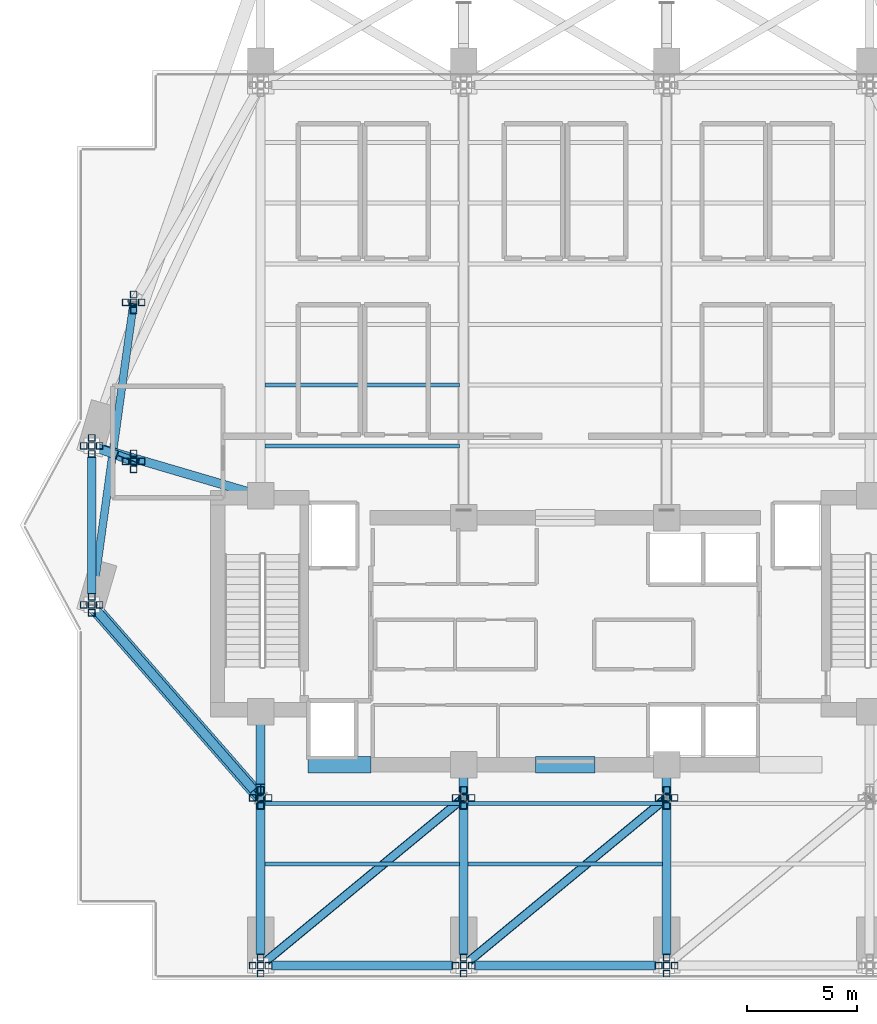
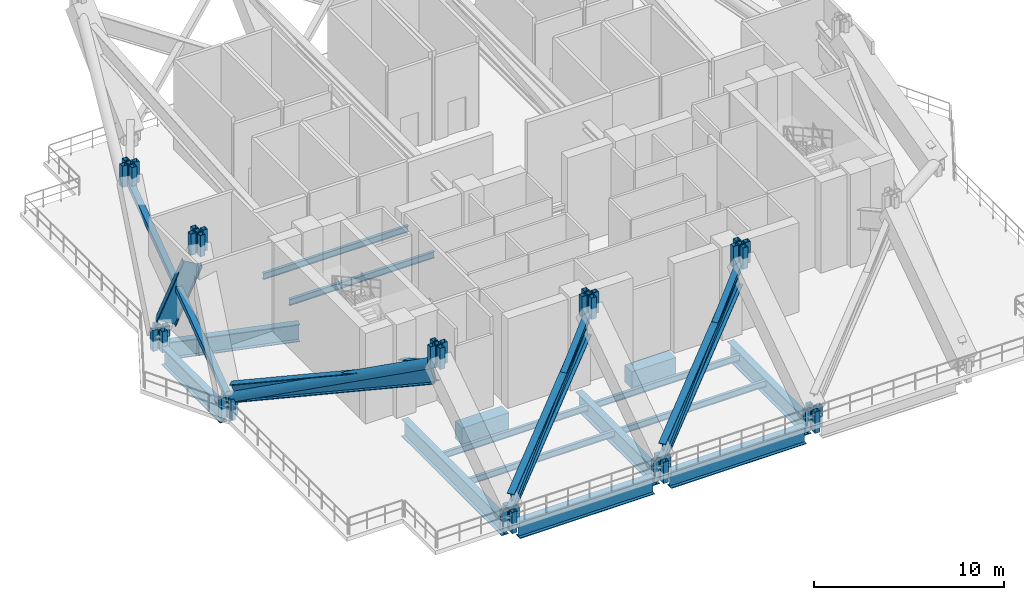
# One storey, part 2 of 18: 54 members, 20 beams.
"""IFC4 building model written with IfcOpenShell, lengths in metres."""

from ifc_helpers import new_model, si_unit, direction, frame, origin, origin_2d, place, context, subcontext, project, spatial, rectangle, hollow_rectangle, hollow_circle, i_section, extrude, material, material_profile, profile_set, type_object, element, save


model = new_model("IFC4")

# Units and contexts
model_context = context("Model", 3, precision=1e-05, world=origin(), true_north=direction((0.0, 1.0)))
body_context = subcontext(model_context, "Body", "Model", "MODEL_VIEW")
ifc_project = project(units=[si_unit("LENGTHUNIT", "METRE"), si_unit("AREAUNIT", "SQUARE_METRE"), si_unit("VOLUMEUNIT", "CUBIC_METRE"), si_unit("PLANEANGLEUNIT", "RADIAN"), si_unit("MASSUNIT", "GRAM", prefix="KILO")], contexts=[model_context])

# Site, building, storey
site_placement = place(None, origin())
site = spatial("IfcSite", under=ifc_project, at=site_placement, CompositionType="ELEMENT")
building_placement = place(site_placement, origin())
building = spatial("IfcBuilding", under=site, at=building_placement, Name="Zuhayl Quay Hotel", CompositionType="ELEMENT")
storey_placement = place(building_placement, frame((0.0, 0.0, 233.64990234375)))
storey = spatial("IfcBuildingStorey", under=building, at=storey_placement, Name="L59", CompositionType="ELEMENT", Elevation=233.64990234375)

# Beams
ifc_material_1 = material(Name="Concrete C60/75", Category="concrete")
ifc_material_profile_1 = material_profile(ifc_material_1, rectangle(XDim=0.75, YDim=1.10009765625, at=origin_2d()), Name="RC750X1100")
ifc_profile_set_1 = profile_set([ifc_material_profile_1], Name="Concrete C60/75")
beam_type_1 = type_object("IfcBeamType", Name="BM_CB2_RC750", PredefinedType="T_BEAM", material=ifc_profile_set_1)
beam_1_placement = place(storey_placement, frame((-11.64990234375, 2.14990234375, -0.809814453125), z_axis=(1.0, 0.0, 0.0), x_axis=(0.0, 1.0, 0.0)))
element("IfcBeam", 1, at=beam_1_placement, inside=storey, type_object=beam_type_1, Name="L59 Core Coupling Beam SW", PredefinedType="T_BEAM", context=body_context, shape_type="SweptSolid", body=[
    extrude(rectangle(XDim=0.75, YDim=1.10009765625, at=origin_2d()), origin(), (0.0, 0.0, 1.0), 2.849853515625),
])
beam_2_placement = place(storey_placement, frame((-1.35009765625, 2.14990234375, -0.809814453125), z_axis=(1.0, 0.0, 0.0), x_axis=(0.0, 1.0, 0.0)))
element("IfcBeam", 2, at=beam_2_placement, inside=storey, type_object=beam_type_1, Name="L59 Core Coupling Beam South", PredefinedType="T_BEAM", context=body_context, shape_type="SweptSolid", body=[
    extrude(rectangle(XDim=0.75, YDim=1.10009765625, at=origin_2d()), origin(), (0.0, 0.0, 1.0), 2.7001953125),
])
ifc_material_2 = material(Name="Steel ASTM A992 Grade 50", Category="steel")
ifc_material_profile_2 = material_profile(ifc_material_2, i_section(OverallWidth=0.177978515625, OverallDepth=0.406005859375, WebThickness=0.0078125, FlangeThickness=0.0126953125, at=origin_2d()), Name="W16X40")
ifc_profile_set_2 = profile_set([ifc_material_profile_2], Name="Steel ASTM A992 Grade 50")
beam_type_2 = type_object("IfcBeamType", Name="BM_J2B_W16X40", PredefinedType="JOIST", material=ifc_profile_set_2)
for number, where, z_axis, x_axis, name in (
    (3, (-13.60595703125, 16.60009765625, -0.462890625), (1.0, 0.0, 0.0), (0.0, 1.0, 0.0), "L59 Floor Beam FJ_L59_1_1"),
    (4, (-13.60595703125, 19.35009765625, -0.462890625), (1.0, 0.0, 0.0), (0.0, 1.0, 0.0), "L59 Floor Beam FJ_L59_2_1"),
    (5, (-13.60595703125, -2.35009765625, -0.462890625), (1.0, 0.0, 0.0), (0.0, 1.0, 0.0), "L59 Floor Beam FJ_L59_7_1"),
    (6, (-4.406005859375, -2.35009765625, -0.462890625), (1.0, 0.0, 0.0), (0.0, 1.0, 0.0), "L59 Floor Beam FJ_L59_7_2"),
    (7, (-13.60595703125, 0.39990234375, -0.462890625), (1.0, 0.0, 0.0), (0.0, 1.0, 0.0), "L59 Floor Beam FJ_L59_8_1"),
    (8, (-4.406005859375, 0.39990234375, -0.462890625), (1.0, 0.0, 0.0), (0.0, 1.0, 0.0), "L59 Floor Beam FJ_L59_8_2"),
):
    element("IfcBeam", number, at=place(storey_placement, frame(where, z_axis=z_axis, x_axis=x_axis)), inside=storey, type_object=beam_type_2, Name=name, PredefinedType="JOIST", context=body_context, shape_type="SweptSolid", body=[
        extrude(i_section(OverallWidth=0.177978515625, OverallDepth=0.406005859375, WebThickness=0.0078125, FlangeThickness=0.0126953125, at=origin_2d()), origin(), (0.0, 0.0, 1.0), 8.81201171875),
    ])
ifc_material_3 = material(Name="Steel ASTM A913 Grade 65", Category="steel")
ifc_material_profile_3 = material_profile(ifc_material_3, i_section(OverallWidth=0.404052734375, OverallDepth=1.117919921875, WebThickness=0.026123046875, FlangeThickness=0.044921875, at=origin_2d()), Name="W44X335")
ifc_profile_set_3 = profile_set([ifc_material_profile_3], Name="Steel ASTM A913 Grade 65")
beam_type_3 = type_object("IfcBeamType", Name="BM_TG1_W44X335", PredefinedType="BEAM", material=ifc_profile_set_3)
beam_3_placement = place(storey_placement, frame((-13.300048828125, -6.949951171875, -0.81884765625), z_axis=(1.0, 0.0, 0.0), x_axis=(0.0, 1.0, 0.0)))
element("IfcBeam", 9, at=beam_3_placement, inside=storey, type_object=beam_type_3, Name="L59 Floor Beam RG_L59_01", PredefinedType="BEAM", context=body_context, shape_type="SweptSolid", body=[
    extrude(i_section(OverallWidth=0.404052734375, OverallDepth=1.117919921875, WebThickness=0.026123046875, FlangeThickness=0.044921875, at=origin_2d()), origin(), (0.0, 0.0, 1.0), 8.199951171875),
])
beam_4_placement = place(storey_placement, frame((-4.10009765625, -6.949951171875, -0.81884765625), z_axis=(1.0, 0.0, 0.0), x_axis=(0.0, 1.0, 0.0)))
element("IfcBeam", 10, at=beam_4_placement, inside=storey, type_object=beam_type_3, Name="L59 Floor Beam RG_L59_02", PredefinedType="BEAM", context=body_context, shape_type="SweptSolid", body=[
    extrude(i_section(OverallWidth=0.404052734375, OverallDepth=1.117919921875, WebThickness=0.026123046875, FlangeThickness=0.044921875, at=origin_2d()), origin(), (0.0, 0.0, 1.0), 8.2001953125),
])
beam_5_placement = place(storey_placement, frame((-21.449951171875, 16.10009765625, -0.81884765625), z_axis=(0.0, -1.0, 0.0), x_axis=(1.0, 0.0, 0.0)))
element("IfcBeam", 11, at=beam_5_placement, inside=storey, type_object=beam_type_3, Name="L59 Floor Beam RG_L59_11", PredefinedType="BEAM", context=body_context, shape_type="SweptSolid", body=[
    extrude(i_section(OverallWidth=0.404052734375, OverallDepth=1.117919921875, WebThickness=0.026123046875, FlangeThickness=0.044921875, at=origin_2d()), origin(), (0.0, 0.0, 1.0), 6.2001953125),
])
for number, where, z_axis, x_axis, name in (
    (12, (-13.568603515625, -6.7587890625, 0.9501953125), (0.733463522291, 0.605904648849, 0.308075993827), (-0.636881446996, 0.770961751627, 0.0), "L59 Wind-Floor Inclined Belt Girder 01"),
    (13, (-4.36865234375, -6.7587890625, 0.9501953125), (0.733463522291, 0.605904648849, 0.308075993827), (-0.636881446996, 0.770961751627, 0.0), "L59 Wind-Floor Inclined Belt Girder 02"),
):
    element("IfcBeam", number, at=place(storey_placement, frame(where, z_axis=z_axis, x_axis=x_axis)), inside=storey, type_object=beam_type_3, Name=name, PredefinedType="BEAM", context=body_context, shape_type="SweptSolid", body=[
        extrude(i_section(OverallWidth=0.404052734375, OverallDepth=1.117919921875, WebThickness=0.026123046875, FlangeThickness=0.044921875, at=origin_2d()), origin(), (0.0, 0.0, 1.0), 11.912353515625),
    ])
beam_6_placement = place(storey_placement, frame((-21.16845703125, 16.496337890625, 0.9501953125), z_axis=(0.339594091876, -0.125146252266, 0.932209347897), x_axis=(0.345784763794, 0.93831385854, 0.0)))
element("IfcBeam", 14, at=beam_6_placement, inside=storey, type_object=beam_type_3, Name="L59 Wind-Floor Inclined Belt Girder 11", PredefinedType="BEAM", context=body_context, shape_type="SweptSolid", body=[
    extrude(i_section(OverallWidth=0.404052734375, OverallDepth=1.117919921875, WebThickness=0.026123046875, FlangeThickness=0.044921875, at=origin_2d()), origin(), (0.0, 0.0, 1.0), 3.936767578125),
])
beam_7_placement = place(storey_placement, frame((-21.25244140625, 9.174072265625, 0.9501953125), z_axis=(0.62449331959, -0.714292079672, 0.315903337598), x_axis=(0.752844192423, 0.658198770839, 0.0)))
element("IfcBeam", 15, at=beam_7_placement, inside=storey, type_object=beam_type_3, Name="L59 Wind-Floor Inclined Belt Girder 12", PredefinedType="BEAM", context=body_context, shape_type="SweptSolid", body=[
    extrude(i_section(OverallWidth=0.404052734375, OverallDepth=1.117919921875, WebThickness=0.026123046875, FlangeThickness=0.044921875, at=origin_2d()), origin(), (0.0, 0.0, 1.0), 11.6171875),
])
beam_8_placement = place(storey_placement, frame((-13.800048828125, 4.199951171875, 2.85009765625), z_axis=(0.0, -0.875053295182, 0.484026580459), x_axis=(1.0, 0.0, 0.0)))
element("IfcBeam", 16, at=beam_8_placement, inside=storey, type_object=beam_type_3, Name="L59 Wind-Floor Inclined Outrigger Girder 3", PredefinedType="BEAM", context=body_context, shape_type="SweptSolid", body=[
    extrude(i_section(OverallWidth=0.404052734375, OverallDepth=1.117919921875, WebThickness=0.026123046875, FlangeThickness=0.044921875, at=origin_2d()), origin(), (0.0, 0.0, 1.0), 3.656982421875),
])
beam_9_placement = place(storey_placement, frame((-13.800048828125, -6.449951171875, -0.81884765625), z_axis=(0.0, 1.0, 0.0), x_axis=(-1.0, 0.0, 0.0)))
element("IfcBeam", 17, at=beam_9_placement, inside=storey, type_object=beam_type_3, Name="L59 Floor Beam FG_S_L59_1", PredefinedType="BEAM", context=body_context, shape_type="SweptSolid", body=[
    extrude(i_section(OverallWidth=0.404052734375, OverallDepth=1.117919921875, WebThickness=0.026123046875, FlangeThickness=0.044921875, at=origin_2d()), origin(), (0.0, 0.0, 1.0), 10.550048828125),
])
for number, where, z_axis, x_axis, name in (
    (18, (-4.60009765625, -6.449951171875, -0.81884765625), (0.0, 1.0, 0.0), (-1.0, 0.0, 0.0), "L59 Floor Beam FG_S_L59_2"),
    (19, (4.60009765625, -6.449951171875, -0.81884765625), (0.0, 1.0, 0.0), (-1.0, 0.0, 0.0), "L59 Floor Beam FG_S_L59_3"),
):
    element("IfcBeam", number, at=place(storey_placement, frame(where, z_axis=z_axis, x_axis=x_axis)), inside=storey, type_object=beam_type_3, Name=name, PredefinedType="BEAM", context=body_context, shape_type="SweptSolid", body=[
        extrude(i_section(OverallWidth=0.404052734375, OverallDepth=1.117919921875, WebThickness=0.026123046875, FlangeThickness=0.044921875, at=origin_2d()), origin(), (0.0, 0.0, 1.0), 8.14990234375),
    ])
beam_10_placement = place(storey_placement, frame((-20.97021484375, 16.458984375, -0.81884765625), z_axis=(0.959364948093, -0.282168205812, 0.0), x_axis=(0.282168205812, 0.959364948093, 0.0)))
element("IfcBeam", 20, at=beam_10_placement, inside=storey, type_object=beam_type_3, Name="L59 Floor Beam FG_W_L59_2", PredefinedType="BEAM", context=body_context, shape_type="SweptSolid", body=[
    extrude(i_section(OverallWidth=0.404052734375, OverallDepth=1.117919921875, WebThickness=0.026123046875, FlangeThickness=0.044921875, at=origin_2d()), origin(), (0.0, 0.0, 1.0), 7.02392578125),
])

# Members
ifc_material_4 = material(Name="Steel ASTM A500 Grade C", Category="steel")
ifc_material_profile_4 = material_profile(ifc_material_4, hollow_rectangle(XDim=0.35009765625, YDim=0.35009765625, WallThickness=0.01611328125, at=origin_2d()), Name="HSS350X350X16")
ifc_profile_set_4 = profile_set([ifc_material_profile_4], Name="Steel ASTM A500 Grade C")
member_type_1 = type_object("IfcMemberType", Name="MB_BT_DIAG_HSS350", PredefinedType="BRACE", material=ifc_profile_set_4)
member_1_placement = place(storey_placement, frame((-13.800048828125, -6.949951171875, 0.550048828125), z_axis=(0.713178129578, 0.589138921944, 0.379858244799), x_axis=(-0.636876159758, 0.770966119315, 0.0)))
element("IfcMember", 21, at=member_1_placement, inside=storey, type_object=member_type_1, Name="L59 Belt Truss BT3 Diagonal S12", PredefinedType="BRACE", context=body_context, shape_type="SweptSolid", body=[
    extrude(hollow_rectangle(XDim=0.35009765625, YDim=0.35009765625, WallThickness=0.01611328125, at=origin_2d()), origin(), (0.0, 0.0, 1.0), 12.89990234375),
])
member_2_placement = place(storey_placement, frame((-4.60009765625, -6.949951171875, 0.550048828125), z_axis=(0.713187429055, 0.589130970148, 0.379853117731), x_axis=(-0.636866114165, 0.770974417623, 0.0)))
element("IfcMember", 22, at=member_2_placement, inside=storey, type_object=member_type_1, Name="L59 Belt Truss BT3 Diagonal S23", PredefinedType="BRACE", context=body_context, shape_type="SweptSolid", body=[
    extrude(hollow_rectangle(XDim=0.35009765625, YDim=0.35009765625, WallThickness=0.01611328125, at=origin_2d()), origin(), (0.0, 0.0, 1.0), 12.900146484375),
])
member_3_placement = place(storey_placement, frame((-21.449951171875, 9.39990234375, 0.550048828125), z_axis=(0.129477023583, 0.933658783782, 0.333941575474), x_axis=(-0.990520846633, 0.137362485361, 0.0)))
element("IfcMember", 23, at=member_3_placement, inside=storey, type_object=member_type_1, Name="L59 Belt Truss BT3 Diagonal W12", PredefinedType="BRACE", context=body_context, shape_type="SweptSolid", body=[
    extrude(hollow_rectangle(XDim=0.35009765625, YDim=0.35009765625, WallThickness=0.01611328125, at=origin_2d()), origin(), (0.0, 0.0, 1.0), 14.673583984375),
])
ifc_material_profile_5 = material_profile(ifc_material_4, hollow_rectangle(XDim=0.300048828125, YDim=0.300048828125, WallThickness=0.012451171875, at=origin_2d()), Name="HSS300X300X12")
ifc_profile_set_5 = profile_set([ifc_material_profile_5], Name="Steel ASTM A500 Grade C")
member_type_2 = type_object("IfcMemberType", Name="MB_CR_BRACE_HSS300", PredefinedType="BRACE", material=ifc_profile_set_5)
for number, where, z_axis, x_axis, name in (
    (24, (-13.800048828125, -6.949951171875, -0.64990234375), (0.0, 0.0, 1.0), (1.0, 0.0, 0.0), "L59 Mega-Column Lower Knuckle Leg MC_S1-1"),
    (25, (-13.800048828125, 0.64990234375, 5.280029296875), (0.0, 0.0, 1.0), (1.0, 0.0, 0.0), "L59 Mega-Column Upper Knuckle Leg MC_S1-1"),
    (26, (-13.800048828125, -6.590087890625, -0.64990234375), (0.0, 0.0, 1.0), (1.0, 0.0, 0.0), "L59 Mega-Column Lower Knuckle Leg MC_S1-2"),
    (27, (-13.800048828125, 1.010009765625, 5.280029296875), (0.0, 0.0, 1.0), (1.0, 0.0, 0.0), "L59 Mega-Column Upper Knuckle Leg MC_S1-2"),
    (28, (-13.800048828125, -7.31005859375, -0.64990234375), (0.0, 0.0, 1.0), (1.0, 0.0, 0.0), "L59 Mega-Column Lower Knuckle Leg MC_S1-3"),
    (29, (-13.800048828125, 0.2900390625, 5.280029296875), (0.0, 0.0, 1.0), (1.0, 0.0, 0.0), "L59 Mega-Column Upper Knuckle Leg MC_S1-3"),
    (30, (-13.43994140625, -6.949951171875, -0.64990234375), (0.0, 0.0, 1.0), (1.0, 0.0, 0.0), "L59 Mega-Column Lower Knuckle Leg MC_S1-4"),
    (31, (-13.43994140625, 0.64990234375, 5.280029296875), (0.0, 0.0, 1.0), (1.0, 0.0, 0.0), "L59 Mega-Column Upper Knuckle Leg MC_S1-4"),
    (32, (-14.159912109375, -6.949951171875, -0.64990234375), (0.0, 0.0, 1.0), (1.0, 0.0, 0.0), "L59 Mega-Column Lower Knuckle Leg MC_S1-5"),
    (33, (-14.159912109375, 0.64990234375, 5.280029296875), (0.0, 0.0, 1.0), (1.0, 0.0, 0.0), "L59 Mega-Column Upper Knuckle Leg MC_S1-5"),
    (34, (-4.60009765625, -6.949951171875, -0.64990234375), (0.0, 0.0, 1.0), (1.0, 0.0, 0.0), "L59 Mega-Column Lower Knuckle Leg MC_S2-1"),
    (35, (-4.60009765625, 0.64990234375, 5.280029296875), (0.0, 0.0, 1.0), (1.0, 0.0, 0.0), "L59 Mega-Column Upper Knuckle Leg MC_S2-1"),
    (36, (-4.60009765625, -6.590087890625, -0.64990234375), (0.0, 0.0, 1.0), (1.0, 0.0, 0.0), "L59 Mega-Column Lower Knuckle Leg MC_S2-2"),
    (37, (-4.60009765625, 1.010009765625, 5.280029296875), (0.0, 0.0, 1.0), (1.0, 0.0, 0.0), "L59 Mega-Column Upper Knuckle Leg MC_S2-2"),
    (38, (-4.60009765625, -7.31005859375, -0.64990234375), (0.0, 0.0, 1.0), (1.0, 0.0, 0.0), "L59 Mega-Column Lower Knuckle Leg MC_S2-3"),
    (39, (-4.60009765625, 0.2900390625, 5.280029296875), (0.0, 0.0, 1.0), (1.0, 0.0, 0.0), "L59 Mega-Column Upper Knuckle Leg MC_S2-3"),
    (40, (-4.239990234375, -6.949951171875, -0.64990234375), (0.0, 0.0, 1.0), (1.0, 0.0, 0.0), "L59 Mega-Column Lower Knuckle Leg MC_S2-4"),
    (41, (-4.239990234375, 0.64990234375, 5.280029296875), (0.0, 0.0, 1.0), (1.0, 0.0, 0.0), "L59 Mega-Column Upper Knuckle Leg MC_S2-4"),
    (42, (-4.9599609375, -6.949951171875, -0.64990234375), (0.0, 0.0, 1.0), (1.0, 0.0, 0.0), "L59 Mega-Column Lower Knuckle Leg MC_S2-5"),
    (43, (-4.9599609375, 0.64990234375, 5.280029296875), (0.0, 0.0, 1.0), (1.0, 0.0, 0.0), "L59 Mega-Column Upper Knuckle Leg MC_S2-5"),
    (44, (4.60009765625, -6.949951171875, -0.64990234375), (0.0, 0.0, 1.0), (1.0, 0.0, 0.0), "L59 Mega-Column Lower Knuckle Leg MC_S3-1"),
    (45, (4.60009765625, 0.64990234375, 5.280029296875), (0.0, 0.0, 1.0), (1.0, 0.0, 0.0), "L59 Mega-Column Upper Knuckle Leg MC_S3-1"),
    (46, (4.60009765625, -6.590087890625, -0.64990234375), (0.0, 0.0, 1.0), (1.0, 0.0, 0.0), "L59 Mega-Column Lower Knuckle Leg MC_S3-2"),
    (47, (4.60009765625, 1.010009765625, 5.280029296875), (0.0, 0.0, 1.0), (1.0, 0.0, 0.0), "L59 Mega-Column Upper Knuckle Leg MC_S3-2"),
    (48, (4.60009765625, -7.31005859375, -0.64990234375), (0.0, 0.0, 1.0), (1.0, 0.0, 0.0), "L59 Mega-Column Lower Knuckle Leg MC_S3-3"),
    (49, (4.60009765625, 0.2900390625, 5.280029296875), (0.0, 0.0, 1.0), (1.0, 0.0, 0.0), "L59 Mega-Column Upper Knuckle Leg MC_S3-3"),
    (50, (4.9599609375, -6.949951171875, -0.64990234375), (0.0, 0.0, 1.0), (1.0, 0.0, 0.0), "L59 Mega-Column Lower Knuckle Leg MC_S3-4"),
    (51, (4.9599609375, 0.64990234375, 5.280029296875), (0.0, 0.0, 1.0), (1.0, 0.0, 0.0), "L59 Mega-Column Upper Knuckle Leg MC_S3-4"),
    (52, (4.239990234375, -6.949951171875, -0.64990234375), (0.0, 0.0, 1.0), (1.0, 0.0, 0.0), "L59 Mega-Column Lower Knuckle Leg MC_S3-5"),
    (53, (4.239990234375, 0.64990234375, 5.280029296875), (0.0, 0.0, 1.0), (1.0, 0.0, 0.0), "L59 Mega-Column Upper Knuckle Leg MC_S3-5"),
    (54, (-21.449951171875, 9.39990234375, -0.64990234375), (0.0, 0.0, 1.0), (1.0, 0.0, 0.0), "L59 Mega-Column Lower Knuckle Leg MC_W1-1"),
    (55, (-19.550048828125, 15.89990234375, 5.280029296875), (0.0, 0.0, 1.0), (1.0, 0.0, 0.0), "L59 Mega-Column Upper Knuckle Leg MC_W1-1"),
    (56, (-21.449951171875, 9.760009765625, -0.64990234375), (0.0, 0.0, 1.0), (1.0, 0.0, 0.0), "L59 Mega-Column Lower Knuckle Leg MC_W1-2"),
    (57, (-19.550048828125, 16.260009765625, 5.280029296875), (0.0, 0.0, 1.0), (1.0, 0.0, 0.0), "L59 Mega-Column Upper Knuckle Leg MC_W1-2"),
    (58, (-21.449951171875, 9.0400390625, -0.64990234375), (0.0, 0.0, 1.0), (1.0, 0.0, 0.0), "L59 Mega-Column Lower Knuckle Leg MC_W1-3"),
    (59, (-19.550048828125, 15.5400390625, 5.280029296875), (0.0, 0.0, 1.0), (1.0, 0.0, 0.0), "L59 Mega-Column Upper Knuckle Leg MC_W1-3"),
    (60, (-21.090087890625, 9.39990234375, -0.64990234375), (0.0, 0.0, 1.0), (1.0, 0.0, 0.0), "L59 Mega-Column Lower Knuckle Leg MC_W1-4"),
    (61, (-19.18994140625, 15.89990234375, 5.280029296875), (0.0, 0.0, 1.0), (1.0, 0.0, 0.0), "L59 Mega-Column Upper Knuckle Leg MC_W1-4"),
    (62, (-21.81005859375, 9.39990234375, -0.64990234375), (0.0, 0.0, 1.0), (1.0, 0.0, 0.0), "L59 Mega-Column Lower Knuckle Leg MC_W1-5"),
    (63, (-19.909912109375, 15.89990234375, 5.280029296875), (0.0, 0.0, 1.0), (1.0, 0.0, 0.0), "L59 Mega-Column Upper Knuckle Leg MC_W1-5"),
    (64, (-21.449951171875, 16.60009765625, -0.64990234375), (0.0, 0.0, 1.0), (1.0, 0.0, 0.0), "L59 Mega-Column Lower Knuckle Leg MC_W2-1"),
    (65, (-19.550048828125, 23.10009765625, 5.280029296875), (0.0, 0.0, 1.0), (1.0, 0.0, 0.0), "L59 Mega-Column Upper Knuckle Leg MC_W2-1"),
    (66, (-21.449951171875, 16.9599609375, -0.64990234375), (0.0, 0.0, 1.0), (1.0, 0.0, 0.0), "L59 Mega-Column Lower Knuckle Leg MC_W2-2"),
    (67, (-19.550048828125, 23.4599609375, 5.280029296875), (0.0, 0.0, 1.0), (1.0, 0.0, 0.0), "L59 Mega-Column Upper Knuckle Leg MC_W2-2"),
    (68, (-21.449951171875, 16.239990234375, -0.64990234375), (0.0, 0.0, 1.0), (1.0, 0.0, 0.0), "L59 Mega-Column Lower Knuckle Leg MC_W2-3"),
    (69, (-19.550048828125, 22.739990234375, 5.280029296875), (0.0, 0.0, 1.0), (1.0, 0.0, 0.0), "L59 Mega-Column Upper Knuckle Leg MC_W2-3"),
    (70, (-21.090087890625, 16.60009765625, -0.64990234375), (0.0, 0.0, 1.0), (1.0, 0.0, 0.0), "L59 Mega-Column Lower Knuckle Leg MC_W2-4"),
    (71, (-19.18994140625, 23.10009765625, 5.280029296875), (0.0, 0.0, 1.0), (1.0, 0.0, 0.0), "L59 Mega-Column Upper Knuckle Leg MC_W2-4"),
    (72, (-21.81005859375, 16.60009765625, -0.64990234375), (0.0, 0.0, 1.0), (1.0, 0.0, 0.0), "L59 Mega-Column Lower Knuckle Leg MC_W2-5"),
    (73, (-19.909912109375, 23.10009765625, 5.280029296875), (0.0, 0.0, 1.0), (1.0, 0.0, 0.0), "L59 Mega-Column Upper Knuckle Leg MC_W2-5"),
):
    element("IfcMember", number, at=place(storey_placement, frame(where, z_axis=z_axis, x_axis=x_axis)), inside=storey, type_object=member_type_2, Name=name, PredefinedType="STRUT", context=body_context, shape_type="SweptSolid", body=[
        extrude(hollow_rectangle(XDim=0.300048828125, YDim=0.300048828125, WallThickness=0.012451171875, at=origin_2d()), origin(), (0.0, 0.0, 1.0), 1.3701171875),
    ])
ifc_material_profile_6 = material_profile(ifc_material_4, hollow_circle(Radius=0.304931640625, WallThickness=0.02001953125, at=origin_2d()), Name="CHS610X20")
ifc_profile_set_6 = profile_set([ifc_material_profile_6], Name="Steel ASTM A500 Grade C")
member_type_3 = type_object("IfcMemberType", Name="MB_ST_CHS610", PredefinedType="STRUT", material=ifc_profile_set_6)
member_4_placement = place(storey_placement, frame((-21.449951171875, 9.39990234375, 0.550048828125), z_axis=(0.606495671331, -0.693713054844, 0.388490924213), x_axis=(0.752847289732, 0.658195228138, 0.0)))
element("IfcMember", 74, at=member_4_placement, inside=storey, type_object=member_type_3, Name="L59 Wind-Floor Corner Mega-Strut SW", PredefinedType="STRUT", context=body_context, shape_type="SweptSolid", body=[
    extrude(hollow_circle(Radius=0.304931640625, WallThickness=0.02001953125, at=origin_2d()), origin(), (0.0, 0.0, 1.0), 12.61328125),
])

save(model, "model.ifc")
